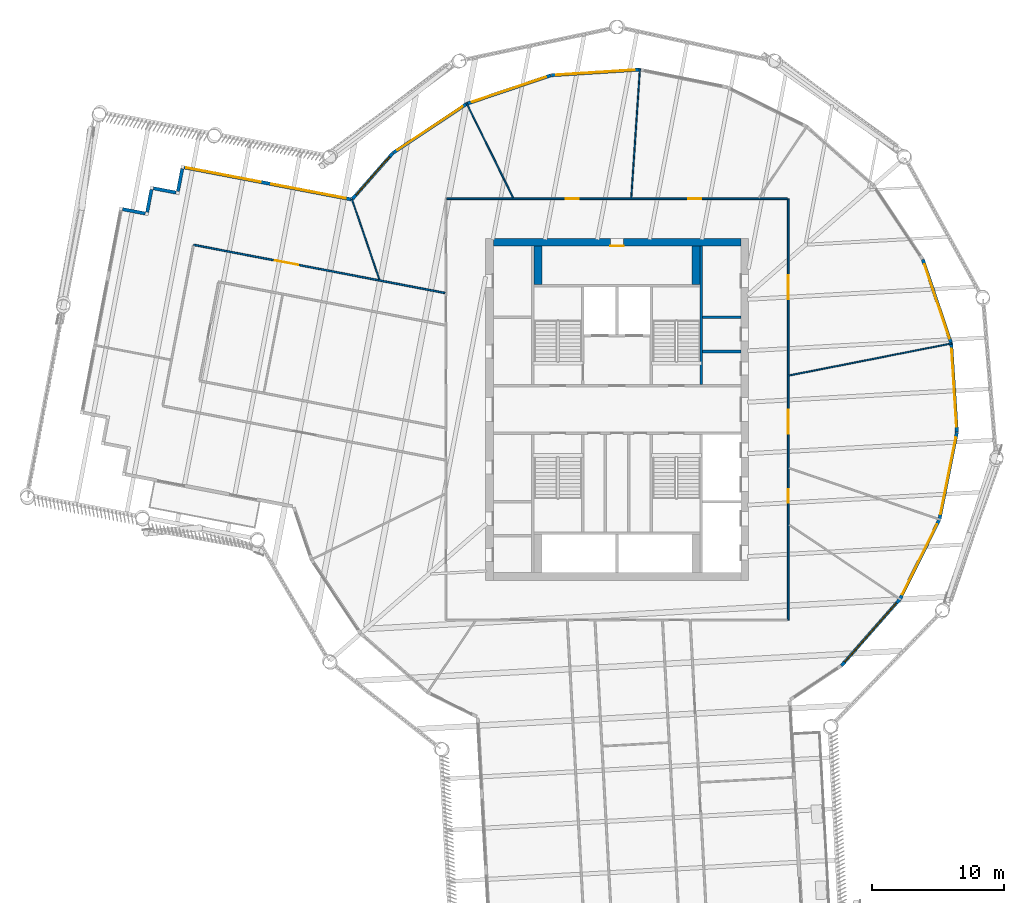
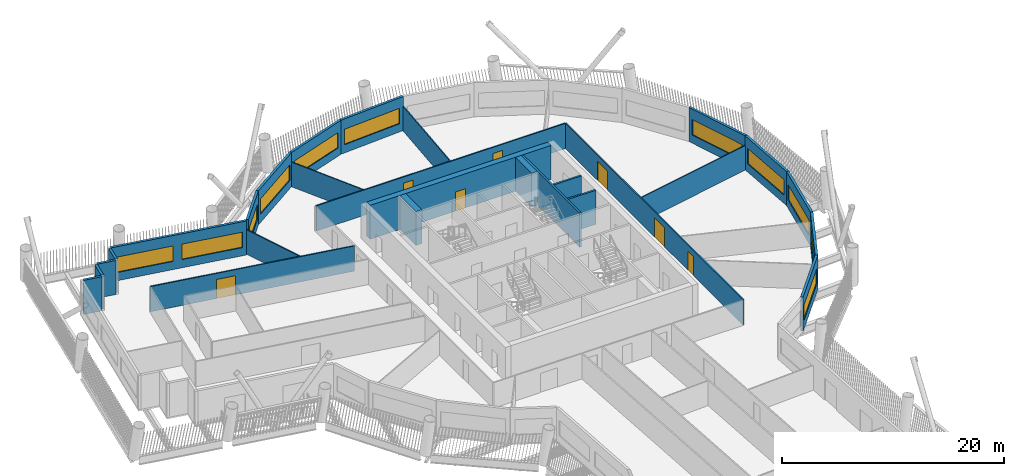
# One storey, part 6 of 23: 27 walls, 11 windows, 7 doors, 18 openings.
"""IFC4 building model written with IfcOpenShell, lengths in metres."""

from ifc_helpers import new_model, si_unit, direction, frame, frame_2d, origin, place, context, subcontext, project, spatial, rectangle, extrude, material, layer, layer_set, type_object, element, fill, save


model = new_model("IFC4")

# Units and contexts
model_context = context("Model", 3, precision=1e-05, world=origin(), true_north=direction((0.0, 1.0)))
body_context = subcontext(model_context, "Body", "Model", "MODEL_VIEW")
ifc_project = project(units=[si_unit("LENGTHUNIT", "METRE"), si_unit("AREAUNIT", "SQUARE_METRE"), si_unit("VOLUMEUNIT", "CUBIC_METRE"), si_unit("PLANEANGLEUNIT", "RADIAN"), si_unit("MASSUNIT", "GRAM", prefix="KILO")], contexts=[model_context])

# Site, building, storey
site_placement = place(None, origin())
site = spatial("IfcSite", under=ifc_project, at=site_placement, CompositionType="ELEMENT")
building_placement = place(site_placement, origin())
building = spatial("IfcBuilding", under=site, at=building_placement, Name="Tarsis Ring Headquarters", CompositionType="ELEMENT")
storey_placement = place(building_placement, frame((0.0, 0.0, 239.39990234375)))
storey = spatial("IfcBuildingStorey", under=building, at=storey_placement, Name="L56", CompositionType="ELEMENT", Elevation=239.39990234375)

# Walls
ifc_material_1 = material(Name="Blockwork", Category="masonry")
ifc_layer_1 = layer(ifc_material_1, 0.199951171875)
ifc_layer_set_1 = layer_set([ifc_layer_1], Name="Core blockwork wall 200")
wall_type_1 = type_object("IfcWallType", Name="Core blockwork wall 200", PredefinedType="PARTITIONING", material=ifc_layer_set_1)
for number, where, z_axis, x_axis, name in (
    (1, (6.5, 4.39990234375, 0.0), (0.0, 0.0, 1.0), (1.0, 0.0, 0.0), "Core partition ED5"),
    (2, (6.5, 7.0, 0.0), (0.0, 0.0, 1.0), (1.0, 0.0, 0.0), "Core partition ED6"),
):
    element("IfcWall", number, at=place(storey_placement, frame(where, z_axis=z_axis, x_axis=x_axis)), inside=storey, type_object=wall_type_1, Name=name, PredefinedType="PARTITIONING", context=body_context, shape_type="SweptSolid", body=[
        extrude(rectangle(XDim=2.89990234375, YDim=0.199951171875, at=frame_2d((1.449951171875, 0.0))), origin(), (0.0, 0.0, 1.0), 3.739990234375),
    ])

# Wall, opening, door
ifc_material_2 = material(Name="Concrete C50/60", Category="concrete")
ifc_layer_2 = layer(ifc_material_2, 0.60009765625)
ifc_layer_set_2 = layer_set([ifc_layer_2], Name="Core wall 600 C50/60")
wall_type_2 = type_object("IfcWallType", Name="Core wall 600 C50/60", PredefinedType="SHEAR", material=ifc_layer_set_2)
wall_1_placement = place(storey_placement, frame((-9.39990234375, 12.699951171875, 0.0), z_axis=(0.0, 0.0, 1.0), x_axis=(1.0, 0.0, 0.0)))
wall_1 = element("IfcWall", 3, at=wall_1_placement, inside=storey, type_object=wall_type_2, Name="Core wall ON", PredefinedType="SHEAR", context=body_context, shape_type="SweptSolid", body=[
    extrude(rectangle(XDim=18.7998046875, YDim=0.60009765625, at=frame_2d((9.39990234375, 0.0))), origin(), (0.0, 0.0, 1.0), 3.739990234375),
])
opening_1_placement = place(wall_1_placement, frame((8.89990234375, 0.0, 0.0)))
opening_1 = element("IfcOpeningElement", 4, at=opening_1_placement, cuts=wall_1, Name="Opening L56-C15", PredefinedType="OPENING", context=body_context, shape_type="SweptSolid", body=[
    extrude(rectangle(XDim=1.0, YDim=2.10009765625, at=frame_2d((0.5, 1.050048828125))), frame((0.0, 0.31005859375, 0.0), z_axis=(0.0, -1.0, 0.0), x_axis=(1.0, 0.0, 0.0)), (0.0, 0.0, 1.0), 0.6201171875),
])
ifc_material_3 = material(Name="Steel S355", Category="steel")
door_type_1 = type_object("IfcDoorType", Name="Core room door 1000x2100", OperationType="SINGLE_SWING_LEFT", PredefinedType="DOOR", material=ifc_material_3)
door_1_placement = place(opening_1_placement, origin())
door_1 = element("IfcDoor", 5, at=door_1_placement, inside=storey, type_object=door_type_1, Name="Core room door L56", OperationType="SINGLE_SWING_LEFT", OverallHeight=2.10009765625, OverallWidth=1.0, PredefinedType="DOOR", context=body_context, shape_type="SweptSolid", body=[
    extrude(rectangle(XDim=1.0, YDim=2.10009765625, at=frame_2d((0.5, 1.050048828125))), frame((0.0, -0.25, 0.0), z_axis=(0.0, -1.0, 0.0), x_axis=(1.0, 0.0, 0.0)), (0.0, 0.0, 1.0), 0.050048828125),
])
fill(opening_1, door_1)

# Walls
ifc_material_4 = material(Name="Gypsum board on steel studs", Category="steel")
ifc_layer_3 = layer(ifc_material_4, 0.10009765625)
ifc_layer_set_3 = layer_set([ifc_layer_3], Name="FL partition 100 unrated")
wall_type_3 = type_object("IfcWallType", Name="FL partition 100 unrated", PredefinedType="PARTITIONING", material=ifc_layer_set_3)
wall_2_placement = place(storey_placement, frame((13.068603515625, 2.578125, 0.0), z_axis=(0.0, 0.0, 1.0), x_axis=(0.981089683082, 0.19355369733, 0.0)))
element("IfcWall", 6, at=wall_2_placement, inside=storey, type_object=wall_type_3, Name="Partition PW3", PredefinedType="PARTITIONING", context=body_context, shape_type="SweptSolid", body=[
    extrude(rectangle(XDim=12.62744140625, YDim=0.10009765625, at=frame_2d((6.313720703125, 0.0))), origin(), (0.0, 0.0, 1.0), 2.7001953125),
])
wall_3_placement = place(storey_placement, frame((1.07861328125, 16.06982421875, 0.0), z_axis=(0.0, 0.0, 1.0), x_axis=(0.066976710643, 0.997754539068, 0.0)))
element("IfcWall", 7, at=wall_3_placement, inside=storey, type_object=wall_type_3, Name="Partition PW3", PredefinedType="PARTITIONING", context=body_context, shape_type="SweptSolid", body=[
    extrude(rectangle(XDim=9.842041015625, YDim=0.10009765625, at=frame_2d((4.9208984375, 0.0))), origin(), (0.0, 0.0, 1.0), 2.7001953125),
])
wall_4_placement = place(storey_placement, frame((-11.43994140625, 23.289794921875, 0.0), z_axis=(0.0, 0.0, 1.0), x_axis=(0.440904309262, -0.897554115401, 0.0)))
element("IfcWall", 8, at=wall_4_placement, inside=storey, type_object=wall_type_3, Name="Partition PW3", PredefinedType="PARTITIONING", context=body_context, shape_type="SweptSolid", body=[
    extrude(rectangle(XDim=8.03173828125, YDim=0.10009765625, at=frame_2d((4.015869140625, 0.0))), origin(), (0.0, 0.0, 1.0), 2.7001953125),
])
wall_5_placement = place(storey_placement, frame((-20.1533203125, 16.00048828125, 0.0), z_axis=(0.0, 0.0, 1.0), x_axis=(0.324120700597, -0.946015735305, 0.0)))
element("IfcWall", 9, at=wall_5_placement, inside=storey, type_object=wall_type_3, Name="Partition PW3", PredefinedType="PARTITIONING", context=body_context, shape_type="SweptSolid", body=[
    extrude(rectangle(XDim=6.468017578125, YDim=0.10009765625, at=frame_2d((3.23388671875, 0.0))), origin(), (0.0, 0.0, 1.0), 2.7001953125),
])

# Wall, openings, doors
ifc_layer_4 = layer(ifc_material_4, 0.125)
ifc_layer_set_4 = layer_set([ifc_layer_4], Name="FL partition 125 EI 60 H2770")
wall_type_4 = type_object("IfcWallType", Name="FL partition 125 EI 60 H2770", PredefinedType="PARTITIONING", material=ifc_layer_set_4)
wall_6_placement = place(storey_placement, frame((13.0, -16.0, 0.0), z_axis=(0.0, 0.0, 1.0), x_axis=(0.0, 1.0, 0.0)))
wall_6 = element("IfcWall", 10, at=wall_6_placement, inside=storey, type_object=wall_type_4, Name="Partition PW1", PredefinedType="PARTITIONING", context=body_context, shape_type="SweptSolid", body=[
    extrude(rectangle(XDim=32.0, YDim=0.125, at=frame_2d((16.0, 0.0))), origin(), (0.0, 0.0, 1.0), 2.77001953125),
])
opening_2_placement = place(wall_6_placement, frame((24.38232421875, 0.0, 0.0)))
opening_2 = element("IfcOpeningElement", 11, at=opening_2_placement, cuts=wall_6, Name="Opening D56.06", PredefinedType="OPENING", context=body_context, shape_type="SweptSolid", body=[
    extrude(rectangle(XDim=1.800048828125, YDim=2.10009765625, at=frame_2d((0.89990234375, 1.050048828125))), frame((0.0, 0.072509765625, 0.0), z_axis=(0.0, -1.0, 0.0), x_axis=(1.0, 0.0, 0.0)), (0.0, 0.0, 1.0), 0.14501953125),
])
opening_3_placement = place(wall_6_placement, frame((14.16455078125, 0.0, 0.0)))
opening_3 = element("IfcOpeningElement", 12, at=opening_3_placement, cuts=wall_6, Name="Opening D56.07", PredefinedType="OPENING", context=body_context, shape_type="SweptSolid", body=[
    extrude(rectangle(XDim=1.800048828125, YDim=2.10009765625, at=frame_2d((0.89990234375, 1.050048828125))), frame((0.0, 0.072509765625, 0.0), z_axis=(0.0, -1.0, 0.0), x_axis=(1.0, 0.0, 0.0)), (0.0, 0.0, 1.0), 0.14501953125),
])
opening_4_placement = place(wall_6_placement, frame((8.92431640625, 0.0, 0.0)))
opening_4 = element("IfcOpeningElement", 13, at=opening_4_placement, cuts=wall_6, Name="Opening D56.08", PredefinedType="OPENING", context=body_context, shape_type="SweptSolid", body=[
    extrude(rectangle(XDim=1.0, YDim=2.10009765625, at=frame_2d((0.5, 1.050048828125))), frame((0.0, 0.072509765625, 0.0), z_axis=(0.0, -1.0, 0.0), x_axis=(1.0, 0.0, 0.0)), (0.0, 0.0, 1.0), 0.14501953125),
])
ifc_material_5 = material(Name="Fire-rated timber door leaf in steel frame", Category="steel")
door_type_2 = type_object("IfcDoorType", Name="FL door FD60-1000", OperationType="NOTDEFINED", PredefinedType="DOOR", material=ifc_material_5)
door_2_placement = place(opening_4_placement, origin())
door_2 = element("IfcDoor", 14, at=door_2_placement, inside=storey, type_object=door_type_2, Name="Door D56.08", OperationType="SINGLE_SWING_RIGHT", OverallHeight=2.10009765625, OverallWidth=1.0, PredefinedType="DOOR", context=body_context, shape_type="SweptSolid", body=[
    extrude(rectangle(XDim=1.0, YDim=2.10009765625, at=frame_2d((0.5, 1.050048828125))), frame((0.0, 0.02490234375, 0.0), z_axis=(0.0, -1.0, 0.0), x_axis=(1.0, 0.0, 0.0)), (0.0, 0.0, 1.0), 0.050048828125),
])
fill(opening_4, door_2)
door_type_3 = type_object("IfcDoorType", Name="FL door FD60-1800", OperationType="DOUBLE_DOOR_SINGLE_SWING", PredefinedType="DOOR", material=ifc_material_5)
door_3_placement = place(opening_2_placement, origin())
door_3 = element("IfcDoor", 15, at=door_3_placement, inside=storey, type_object=door_type_3, Name="Door D56.06", OperationType="DOUBLE_DOOR_SINGLE_SWING", OverallHeight=2.10009765625, OverallWidth=1.800048828125, PredefinedType="DOOR", context=body_context, shape_type="SweptSolid", body=[
    extrude(rectangle(XDim=1.800048828125, YDim=2.10009765625, at=frame_2d((0.89990234375, 1.050048828125))), frame((0.0, 0.02490234375, 0.0), z_axis=(0.0, -1.0, 0.0), x_axis=(1.0, 0.0, 0.0)), (0.0, 0.0, 1.0), 0.050048828125),
])
fill(opening_2, door_3)
door_4_placement = place(opening_3_placement, origin())
door_4 = element("IfcDoor", 16, at=door_4_placement, inside=storey, type_object=door_type_3, Name="Door D56.07", OperationType="DOUBLE_DOOR_SINGLE_SWING", OverallHeight=2.10009765625, OverallWidth=1.800048828125, PredefinedType="DOOR", context=body_context, shape_type="SweptSolid", body=[
    extrude(rectangle(XDim=1.800048828125, YDim=2.10009765625, at=frame_2d((0.89990234375, 1.050048828125))), frame((0.0, 0.02490234375, 0.0), z_axis=(0.0, -1.0, 0.0), x_axis=(1.0, 0.0, 0.0)), (0.0, 0.0, 1.0), 0.050048828125),
])
fill(opening_3, door_4)

wall_7_placement = place(storey_placement, frame((-12.93994140625, 16.0, 0.0), z_axis=(0.0, 0.0, 1.0), x_axis=(1.0, 0.0, 0.0)))
wall_7 = element("IfcWall", 17, at=wall_7_placement, inside=storey, type_object=wall_type_4, Name="Partition PW1", PredefinedType="PARTITIONING", context=body_context, shape_type="SweptSolid", body=[
    extrude(rectangle(XDim=25.8798828125, YDim=0.125, at=frame_2d((12.93994140625, 0.0))), origin(), (0.0, 0.0, 1.0), 2.77001953125),
])
opening_5_placement = place(wall_7_placement, frame((9.04736328125, 0.0, 0.0)))
opening_5 = element("IfcOpeningElement", 18, at=opening_5_placement, cuts=wall_7, Name="Opening D56.04", PredefinedType="OPENING", context=body_context, shape_type="SweptSolid", body=[
    extrude(rectangle(XDim=1.0, YDim=2.10009765625, at=frame_2d((0.5, 1.050048828125))), frame((0.0, 0.072509765625, 0.0), z_axis=(0.0, -1.0, 0.0), x_axis=(1.0, 0.0, 0.0)), (0.0, 0.0, 1.0), 0.14501953125),
])
opening_6_placement = place(wall_7_placement, frame((18.340576171875, 0.0, 0.0)))
opening_6 = element("IfcOpeningElement", 19, at=opening_6_placement, cuts=wall_7, Name="Opening D56.05", PredefinedType="OPENING", context=body_context, shape_type="SweptSolid", body=[
    extrude(rectangle(XDim=1.0, YDim=2.10009765625, at=frame_2d((0.5, 1.050048828125))), frame((0.0, 0.072509765625, 0.0), z_axis=(0.0, -1.0, 0.0), x_axis=(1.0, 0.0, 0.0)), (0.0, 0.0, 1.0), 0.14501953125),
])
door_5_placement = place(opening_5_placement, origin())
door_5 = element("IfcDoor", 20, at=door_5_placement, inside=storey, type_object=door_type_2, Name="Door D56.04", OperationType="SINGLE_SWING_RIGHT", OverallHeight=2.10009765625, OverallWidth=1.0, PredefinedType="DOOR", context=body_context, shape_type="SweptSolid", body=[
    extrude(rectangle(XDim=1.0, YDim=2.10009765625, at=frame_2d((0.5, 1.050048828125))), frame((0.0, 0.02490234375, 0.0), z_axis=(0.0, -1.0, 0.0), x_axis=(1.0, 0.0, 0.0)), (0.0, 0.0, 1.0), 0.050048828125),
])
fill(opening_5, door_5)
door_6_placement = place(opening_6_placement, origin())
door_6 = element("IfcDoor", 21, at=door_6_placement, inside=storey, type_object=door_type_2, Name="Door D56.05", OperationType="SINGLE_SWING_LEFT", OverallHeight=2.10009765625, OverallWidth=1.0, PredefinedType="DOOR", context=body_context, shape_type="SweptSolid", body=[
    extrude(rectangle(XDim=1.0, YDim=2.10009765625, at=frame_2d((0.5, 1.050048828125))), frame((0.0, 0.02490234375, 0.0), z_axis=(0.0, -1.0, 0.0), x_axis=(1.0, 0.0, 0.0)), (0.0, 0.0, 1.0), 0.050048828125),
])
fill(opening_6, door_6)

# Wall, opening, door
wall_8_placement = place(storey_placement, frame((-32.172607421875, 12.503662109375, 0.0), z_axis=(0.0, 0.0, 1.0), x_axis=(0.982157165029, -0.188061966334, 0.0)))
wall_8 = element("IfcWall", 22, at=wall_8_placement, inside=storey, type_object=wall_type_4, Name="Partition PW1", PredefinedType="PARTITIONING", context=body_context, shape_type="SweptSolid", body=[
    extrude(rectangle(XDim=19.450927734375, YDim=0.125, at=frame_2d((9.7255859375, 0.0))), origin(), (0.0, 0.0, 1.0), 2.77001953125),
])
opening_7_placement = place(wall_8_placement, frame((6.299560546875, 0.0, 0.0)))
opening_7 = element("IfcOpeningElement", 23, at=opening_7_placement, cuts=wall_8, Name="Opening D56.02", PredefinedType="OPENING", context=body_context, shape_type="SweptSolid", body=[
    extrude(rectangle(XDim=1.800048828125, YDim=2.10009765625, at=frame_2d((0.89990234375, 1.050048828125))), frame((0.0, 0.072509765625, 0.0), z_axis=(0.0, -1.0, 0.0), x_axis=(1.0, 0.0, 0.0)), (0.0, 0.0, 1.0), 0.14501953125),
])
door_7_placement = place(opening_7_placement, origin())
door_7 = element("IfcDoor", 24, at=door_7_placement, inside=storey, type_object=door_type_3, Name="Door D56.02", OperationType="DOUBLE_DOOR_SINGLE_SWING", OverallHeight=2.10009765625, OverallWidth=1.800048828125, PredefinedType="DOOR", context=body_context, shape_type="SweptSolid", body=[
    extrude(rectangle(XDim=1.800048828125, YDim=2.10009765625, at=frame_2d((0.89990234375, 1.050048828125))), frame((0.0, 0.02490234375, 0.0), z_axis=(0.0, -1.0, 0.0), x_axis=(1.0, 0.0, 0.0)), (0.0, 0.0, 1.0), 0.050048828125),
])
fill(opening_7, door_7)

# Wall, opening, window
ifc_material_6 = material(Name="Terracotta clad insulated panel wall", Category="masonry")
ifc_layer_5 = layer(ifc_material_6, 0.25)
ifc_layer_set_5 = layer_set([ifc_layer_5], Name="Facade wall terracotta panel 250")
wall_type_5 = type_object("IfcWallType", Name="Facade wall terracotta panel 250", PredefinedType="STANDARD", material=ifc_layer_set_5)
wall_9_placement = place(storey_placement, frame((17.0400390625, -19.467529296875, 0.0), z_axis=(0.0, 0.0, 1.0), x_axis=(0.660536186463, 0.750794210402, 0.0)))
wall_9 = element("IfcWall", 25, at=wall_9_placement, inside=storey, type_object=wall_type_5, Name="External wall L56-18", PredefinedType="STANDARD", context=body_context, shape_type="SweptSolid", body=[
    extrude(rectangle(XDim=6.7216796875, YDim=0.25, at=frame_2d((3.36083984375, 0.0))), origin(), (0.0, 0.0, 1.0), 3.739990234375),
])
opening_8_placement = place(wall_9_placement, frame((0.3857421875, 0.0, 0.89990234375)))
opening_8 = element("IfcOpeningElement", 26, at=opening_8_placement, cuts=wall_9, Name="Opening WN07", PredefinedType="OPENING", context=body_context, shape_type="SweptSolid", body=[
    extrude(rectangle(XDim=5.949951171875, YDim=1.699951171875, at=frame_2d((2.97509765625, 0.85009765625))), frame((0.0, 0.135009765625, 0.0), z_axis=(0.0, -1.0, 0.0), x_axis=(1.0, 0.0, 0.0)), (0.0, 0.0, 1.0), 0.27001953125),
])
ifc_material_7 = material(Name="Aluminium framed double glazing", Category="aluminium")
window_type_1 = type_object("IfcWindowType", Name="Facade window 5950 x 1700", PartitioningType="SINGLE_PANEL", PredefinedType="WINDOW", material=ifc_material_7)
window_1_placement = place(opening_8_placement, origin())
window_1 = element("IfcWindow", 27, at=window_1_placement, inside=storey, type_object=window_type_1, Name="Window L56-18.1", OverallHeight=1.699951171875, OverallWidth=5.949951171875, PartitioningType="SINGLE_PANEL", PredefinedType="WINDOW", context=body_context, shape_type="SweptSolid", body=[
    extrude(rectangle(XDim=5.949951171875, YDim=1.699951171875, at=frame_2d((2.97509765625, 0.85009765625))), frame((0.0, 0.030029296875, 0.0), z_axis=(0.0, -1.0, 0.0), x_axis=(1.0, 0.0, 0.0)), (0.0, 0.0, 1.0), 0.06005859375),
])
fill(opening_8, window_1)

wall_10_placement = place(storey_placement, frame((21.498046875, -14.393798828125, 0.0), z_axis=(0.0, 0.0, 1.0), x_axis=(0.443708734353, 0.896171054575, 0.0)))
wall_10 = element("IfcWall", 28, at=wall_10_placement, inside=storey, type_object=wall_type_5, Name="External wall L56-19", PredefinedType="STANDARD", context=body_context, shape_type="SweptSolid", body=[
    extrude(rectangle(XDim=6.7216796875, YDim=0.25, at=frame_2d((3.36083984375, 0.0))), origin(), (0.0, 0.0, 1.0), 3.739990234375),
])
opening_9_placement = place(wall_10_placement, frame((0.3857421875, 0.0, 0.89990234375)))
opening_9 = element("IfcOpeningElement", 29, at=opening_9_placement, cuts=wall_10, Name="Opening WN07", PredefinedType="OPENING", context=body_context, shape_type="SweptSolid", body=[
    extrude(rectangle(XDim=5.949951171875, YDim=1.699951171875, at=frame_2d((2.97509765625, 0.85009765625))), frame((0.0, 0.135009765625, 0.0), z_axis=(0.0, -1.0, 0.0), x_axis=(1.0, 0.0, 0.0)), (0.0, 0.0, 1.0), 0.27001953125),
])
window_2_placement = place(opening_9_placement, origin())
window_2 = element("IfcWindow", 30, at=window_2_placement, inside=storey, type_object=window_type_1, Name="Window L56-19.1", OverallHeight=1.699951171875, OverallWidth=5.949951171875, PartitioningType="SINGLE_PANEL", PredefinedType="WINDOW", context=body_context, shape_type="SweptSolid", body=[
    extrude(rectangle(XDim=5.949951171875, YDim=1.699951171875, at=frame_2d((2.97509765625, 0.85009765625))), frame((0.0, 0.030029296875, 0.0), z_axis=(0.0, -1.0, 0.0), x_axis=(1.0, 0.0, 0.0)), (0.0, 0.0, 1.0), 0.06005859375),
])
fill(opening_9, window_2)

wall_11_placement = place(storey_placement, frame((24.490966796875, -8.33935546875, 0.0), z_axis=(0.0, 0.0, 1.0), x_axis=(0.196612047734, 0.980481362743, 0.0)))
wall_11 = element("IfcWall", 31, at=wall_11_placement, inside=storey, type_object=wall_type_5, Name="External wall L56-20", PredefinedType="STANDARD", context=body_context, shape_type="SweptSolid", body=[
    extrude(rectangle(XDim=6.721435546875, YDim=0.25, at=frame_2d((3.36083984375, 0.0))), origin(), (0.0, 0.0, 1.0), 3.739990234375),
])
opening_10_placement = place(wall_11_placement, frame((0.3857421875, 0.0, 0.89990234375)))
opening_10 = element("IfcOpeningElement", 32, at=opening_10_placement, cuts=wall_11, Name="Opening WN07", PredefinedType="OPENING", context=body_context, shape_type="SweptSolid", body=[
    extrude(rectangle(XDim=5.949951171875, YDim=1.699951171875, at=frame_2d((2.97509765625, 0.85009765625))), frame((0.0, 0.135009765625, 0.0), z_axis=(0.0, -1.0, 0.0), x_axis=(1.0, 0.0, 0.0)), (0.0, 0.0, 1.0), 0.27001953125),
])
window_3_placement = place(opening_10_placement, origin())
window_3 = element("IfcWindow", 33, at=window_3_placement, inside=storey, type_object=window_type_1, Name="Window L56-20.1", OverallHeight=1.699951171875, OverallWidth=5.949951171875, PartitioningType="SINGLE_PANEL", PredefinedType="WINDOW", context=body_context, shape_type="SweptSolid", body=[
    extrude(rectangle(XDim=5.949951171875, YDim=1.699951171875, at=frame_2d((2.97509765625, 0.85009765625))), frame((0.0, 0.030029296875, 0.0), z_axis=(0.0, -1.0, 0.0), x_axis=(1.0, 0.0, 0.0)), (0.0, 0.0, 1.0), 0.06005859375),
])
fill(opening_10, window_3)

wall_12_placement = place(storey_placement, frame((25.814697265625, -1.71630859375, 0.0), z_axis=(0.0, 0.0, 1.0), x_axis=(-0.063818685098, 0.997961509995, 0.0)))
wall_12 = element("IfcWall", 34, at=wall_12_placement, inside=storey, type_object=wall_type_5, Name="External wall L56-21", PredefinedType="STANDARD", context=body_context, shape_type="SweptSolid", body=[
    extrude(rectangle(XDim=6.721435546875, YDim=0.25, at=frame_2d((3.36083984375, 0.0))), origin(), (0.0, 0.0, 1.0), 3.739990234375),
])
opening_11_placement = place(wall_12_placement, frame((0.3857421875, 0.0, 0.89990234375)))
opening_11 = element("IfcOpeningElement", 35, at=opening_11_placement, cuts=wall_12, Name="Opening WN07", PredefinedType="OPENING", context=body_context, shape_type="SweptSolid", body=[
    extrude(rectangle(XDim=5.949951171875, YDim=1.699951171875, at=frame_2d((2.97509765625, 0.85009765625))), frame((0.0, 0.135009765625, 0.0), z_axis=(0.0, -1.0, 0.0), x_axis=(1.0, 0.0, 0.0)), (0.0, 0.0, 1.0), 0.27001953125),
])
window_4_placement = place(opening_11_placement, origin())
window_4 = element("IfcWindow", 36, at=window_4_placement, inside=storey, type_object=window_type_1, Name="Window L56-21.1", OverallHeight=1.699951171875, OverallWidth=5.949951171875, PartitioningType="SINGLE_PANEL", PredefinedType="WINDOW", context=body_context, shape_type="SweptSolid", body=[
    extrude(rectangle(XDim=5.949951171875, YDim=1.699951171875, at=frame_2d((2.97509765625, 0.85009765625))), frame((0.0, 0.030029296875, 0.0), z_axis=(0.0, -1.0, 0.0), x_axis=(1.0, 0.0, 0.0)), (0.0, 0.0, 1.0), 0.06005859375),
])
fill(opening_11, window_4)

wall_13_placement = place(storey_placement, frame((25.37939453125, 5.0234375, 0.0), z_axis=(0.0, 0.0, 1.0), x_axis=(-0.319962873387, 0.94743008167, 0.0)))
wall_13 = element("IfcWall", 37, at=wall_13_placement, inside=storey, type_object=wall_type_5, Name="External wall L56-22", PredefinedType="STANDARD", context=body_context, shape_type="SweptSolid", body=[
    extrude(rectangle(XDim=6.721435546875, YDim=0.25, at=frame_2d((3.36083984375, 0.0))), origin(), (0.0, 0.0, 1.0), 3.739990234375),
])
opening_12_placement = place(wall_13_placement, frame((0.3857421875, 0.0, 0.89990234375)))
opening_12 = element("IfcOpeningElement", 38, at=opening_12_placement, cuts=wall_13, Name="Opening WN07", PredefinedType="OPENING", context=body_context, shape_type="SweptSolid", body=[
    extrude(rectangle(XDim=5.949951171875, YDim=1.699951171875, at=frame_2d((2.97509765625, 0.85009765625))), frame((0.0, 0.135009765625, 0.0), z_axis=(0.0, -1.0, 0.0), x_axis=(1.0, 0.0, 0.0)), (0.0, 0.0, 1.0), 0.27001953125),
])
window_5_placement = place(opening_12_placement, origin())
window_5 = element("IfcWindow", 39, at=window_5_placement, inside=storey, type_object=window_type_1, Name="Window L56-22.1", OverallHeight=1.699951171875, OverallWidth=5.949951171875, PartitioningType="SINGLE_PANEL", PredefinedType="WINDOW", context=body_context, shape_type="SweptSolid", body=[
    extrude(rectangle(XDim=5.949951171875, YDim=1.699951171875, at=frame_2d((2.97509765625, 0.85009765625))), frame((0.0, 0.030029296875, 0.0), z_axis=(0.0, -1.0, 0.0), x_axis=(1.0, 0.0, 0.0)), (0.0, 0.0, 1.0), 0.06005859375),
])
fill(opening_12, window_5)

wall_14_placement = place(storey_placement, frame((1.71630859375, 25.814697265625, 0.0), z_axis=(0.0, 0.0, 1.0), x_axis=(-0.997961509995, -0.063818685098, 0.0)))
wall_14 = element("IfcWall", 40, at=wall_14_placement, inside=storey, type_object=wall_type_5, Name="External wall L56-27", PredefinedType="STANDARD", context=body_context, shape_type="SweptSolid", body=[
    extrude(rectangle(XDim=6.721435546875, YDim=0.25, at=frame_2d((3.36083984375, 0.0))), origin(), (0.0, 0.0, 1.0), 3.739990234375),
])
opening_13_placement = place(wall_14_placement, frame((0.3857421875, 0.0, 0.89990234375)))
opening_13 = element("IfcOpeningElement", 41, at=opening_13_placement, cuts=wall_14, Name="Opening WN07", PredefinedType="OPENING", context=body_context, shape_type="SweptSolid", body=[
    extrude(rectangle(XDim=5.949951171875, YDim=1.699951171875, at=frame_2d((2.97509765625, 0.85009765625))), frame((0.0, 0.135009765625, 0.0), z_axis=(0.0, -1.0, 0.0), x_axis=(1.0, 0.0, 0.0)), (0.0, 0.0, 1.0), 0.27001953125),
])
window_6_placement = place(opening_13_placement, origin())
window_6 = element("IfcWindow", 42, at=window_6_placement, inside=storey, type_object=window_type_1, Name="Window L56-27.1", OverallHeight=1.699951171875, OverallWidth=5.949951171875, PartitioningType="SINGLE_PANEL", PredefinedType="WINDOW", context=body_context, shape_type="SweptSolid", body=[
    extrude(rectangle(XDim=5.949951171875, YDim=1.699951171875, at=frame_2d((2.97509765625, 0.85009765625))), frame((0.0, 0.030029296875, 0.0), z_axis=(0.0, -1.0, 0.0), x_axis=(1.0, 0.0, 0.0)), (0.0, 0.0, 1.0), 0.06005859375),
])
fill(opening_13, window_6)

wall_15_placement = place(storey_placement, frame((-5.0234375, 25.37939453125, 0.0), z_axis=(0.0, 0.0, 1.0), x_axis=(-0.94743008167, -0.319962873387, 0.0)))
wall_15 = element("IfcWall", 43, at=wall_15_placement, inside=storey, type_object=wall_type_5, Name="External wall L56-28", PredefinedType="STANDARD", context=body_context, shape_type="SweptSolid", body=[
    extrude(rectangle(XDim=6.721435546875, YDim=0.25, at=frame_2d((3.36083984375, 0.0))), origin(), (0.0, 0.0, 1.0), 3.739990234375),
])
opening_14_placement = place(wall_15_placement, frame((0.3857421875, 0.0, 0.89990234375)))
opening_14 = element("IfcOpeningElement", 44, at=opening_14_placement, cuts=wall_15, Name="Opening WN07", PredefinedType="OPENING", context=body_context, shape_type="SweptSolid", body=[
    extrude(rectangle(XDim=5.949951171875, YDim=1.699951171875, at=frame_2d((2.97509765625, 0.85009765625))), frame((0.0, 0.135009765625, 0.0), z_axis=(0.0, -1.0, 0.0), x_axis=(1.0, 0.0, 0.0)), (0.0, 0.0, 1.0), 0.27001953125),
])
window_7_placement = place(opening_14_placement, origin())
window_7 = element("IfcWindow", 45, at=window_7_placement, inside=storey, type_object=window_type_1, Name="Window L56-28.1", OverallHeight=1.699951171875, OverallWidth=5.949951171875, PartitioningType="SINGLE_PANEL", PredefinedType="WINDOW", context=body_context, shape_type="SweptSolid", body=[
    extrude(rectangle(XDim=5.949951171875, YDim=1.699951171875, at=frame_2d((2.97509765625, 0.85009765625))), frame((0.0, 0.030029296875, 0.0), z_axis=(0.0, -1.0, 0.0), x_axis=(1.0, 0.0, 0.0)), (0.0, 0.0, 1.0), 0.06005859375),
])
fill(opening_14, window_7)

wall_16_placement = place(storey_placement, frame((-11.4208984375, 23.21435546875, 0.0), z_axis=(0.0, 0.0, 1.0), x_axis=(-0.832357507566, -0.554239099666, 0.0)))
wall_16 = element("IfcWall", 46, at=wall_16_placement, inside=storey, type_object=wall_type_5, Name="External wall L56-29", PredefinedType="STANDARD", context=body_context, shape_type="SweptSolid", body=[
    extrude(rectangle(XDim=6.721435546875, YDim=0.25, at=frame_2d((3.36083984375, 0.0))), origin(), (0.0, 0.0, 1.0), 3.739990234375),
])
opening_15_placement = place(wall_16_placement, frame((0.3857421875, 0.0, 0.89990234375)))
opening_15 = element("IfcOpeningElement", 47, at=opening_15_placement, cuts=wall_16, Name="Opening WN07", PredefinedType="OPENING", context=body_context, shape_type="SweptSolid", body=[
    extrude(rectangle(XDim=5.949951171875, YDim=1.699951171875, at=frame_2d((2.97509765625, 0.85009765625))), frame((0.0, 0.135009765625, 0.0), z_axis=(0.0, -1.0, 0.0), x_axis=(1.0, 0.0, 0.0)), (0.0, 0.0, 1.0), 0.27001953125),
])
window_8_placement = place(opening_15_placement, origin())
window_8 = element("IfcWindow", 48, at=window_8_placement, inside=storey, type_object=window_type_1, Name="Window L56-29.1", OverallHeight=1.699951171875, OverallWidth=5.949951171875, PartitioningType="SINGLE_PANEL", PredefinedType="WINDOW", context=body_context, shape_type="SweptSolid", body=[
    extrude(rectangle(XDim=5.949951171875, YDim=1.699951171875, at=frame_2d((2.97509765625, 0.85009765625))), frame((0.0, 0.030029296875, 0.0), z_axis=(0.0, -1.0, 0.0), x_axis=(1.0, 0.0, 0.0)), (0.0, 0.0, 1.0), 0.06005859375),
])
fill(opening_15, window_8)

wall_17_placement = place(storey_placement, frame((-17.0400390625, 19.467529296875, 0.0), z_axis=(0.0, 0.0, 1.0), x_axis=(-0.660542080172, -0.750789025174, 0.0)))
wall_17 = element("IfcWall", 49, at=wall_17_placement, inside=storey, type_object=wall_type_5, Name="External wall L56-30", PredefinedType="STANDARD", context=body_context, shape_type="SweptSolid", body=[
    extrude(rectangle(XDim=4.617919921875, YDim=0.25, at=frame_2d((2.30908203125, 0.0))), origin(), (0.0, 0.0, 1.0), 3.739990234375),
])
opening_16_placement = place(wall_17_placement, frame((0.367431640625, 0.0, 0.89990234375)))
opening_16 = element("IfcOpeningElement", 50, at=opening_16_placement, cuts=wall_17, Name="Opening WN02", PredefinedType="OPENING", context=body_context, shape_type="SweptSolid", body=[
    extrude(rectangle(XDim=3.85009765625, YDim=1.699951171875, at=frame_2d((1.925048828125, 0.85009765625))), frame((0.0, 0.135009765625, 0.0), z_axis=(0.0, -1.0, 0.0), x_axis=(1.0, 0.0, 0.0)), (0.0, 0.0, 1.0), 0.27001953125),
])
window_type_2 = type_object("IfcWindowType", Name="Facade window 3850 x 1700", PartitioningType="SINGLE_PANEL", PredefinedType="WINDOW", material=ifc_material_7)
window_9_placement = place(opening_16_placement, origin())
window_9 = element("IfcWindow", 51, at=window_9_placement, inside=storey, type_object=window_type_2, Name="Window L56-30.1", OverallHeight=1.699951171875, OverallWidth=3.85009765625, PartitioningType="SINGLE_PANEL", PredefinedType="WINDOW", context=body_context, shape_type="SweptSolid", body=[
    extrude(rectangle(XDim=3.85009765625, YDim=1.699951171875, at=frame_2d((1.925048828125, 0.85009765625))), frame((0.0, 0.030029296875, 0.0), z_axis=(0.0, -1.0, 0.0), x_axis=(1.0, 0.0, 0.0)), (0.0, 0.0, 1.0), 0.06005859375),
])
fill(opening_16, window_9)

# Wall, openings, windows
wall_18_placement = place(storey_placement, frame((-20.207763671875, 15.960205078125, 0.0), z_axis=(0.0, 0.0, 1.0), x_axis=(-0.982156902418, 0.188063337821, 0.0)))
wall_18 = element("IfcWall", 52, at=wall_18_placement, inside=storey, type_object=wall_type_5, Name="External wall L56-31", PredefinedType="STANDARD", context=body_context, shape_type="SweptSolid", body=[
    extrude(rectangle(XDim=12.9013671875, YDim=0.25, at=frame_2d((6.45068359375, 0.0))), origin(), (0.0, 0.0, 1.0), 3.739990234375),
])
opening_17_placement = place(wall_18_placement, frame((0.412841796875, 0.0, 0.89990234375)))
opening_17 = element("IfcOpeningElement", 53, at=opening_17_placement, cuts=wall_18, Name="Opening WN06", PredefinedType="OPENING", context=body_context, shape_type="SweptSolid", body=[
    extrude(rectangle(XDim=5.75, YDim=1.699951171875, at=frame_2d((2.875, 0.85009765625))), frame((0.0, 0.135009765625, 0.0), z_axis=(0.0, -1.0, 0.0), x_axis=(1.0, 0.0, 0.0)), (0.0, 0.0, 1.0), 0.27001953125),
])
opening_18_placement = place(wall_18_placement, frame((6.988525390625, 0.0, 0.89990234375)))
opening_18 = element("IfcOpeningElement", 54, at=opening_18_placement, cuts=wall_18, Name="Opening WN06", PredefinedType="OPENING", context=body_context, shape_type="SweptSolid", body=[
    extrude(rectangle(XDim=5.75, YDim=1.699951171875, at=frame_2d((2.875, 0.85009765625))), frame((0.0, 0.135009765625, 0.0), z_axis=(0.0, -1.0, 0.0), x_axis=(1.0, 0.0, 0.0)), (0.0, 0.0, 1.0), 0.27001953125),
])
window_type_3 = type_object("IfcWindowType", Name="Facade window 5750 x 1700", PartitioningType="SINGLE_PANEL", PredefinedType="WINDOW", material=ifc_material_7)
window_10_placement = place(opening_17_placement, origin())
window_10 = element("IfcWindow", 55, at=window_10_placement, inside=storey, type_object=window_type_3, Name="Window L56-31.1", OverallHeight=1.699951171875, OverallWidth=5.75, PartitioningType="SINGLE_PANEL", PredefinedType="WINDOW", context=body_context, shape_type="SweptSolid", body=[
    extrude(rectangle(XDim=5.75, YDim=1.699951171875, at=frame_2d((2.875, 0.85009765625))), frame((0.0, 0.030029296875, 0.0), z_axis=(0.0, -1.0, 0.0), x_axis=(1.0, 0.0, 0.0)), (0.0, 0.0, 1.0), 0.06005859375),
])
fill(opening_17, window_10)
window_11_placement = place(opening_18_placement, origin())
window_11 = element("IfcWindow", 56, at=window_11_placement, inside=storey, type_object=window_type_3, Name="Window L56-31.2", OverallHeight=1.699951171875, OverallWidth=5.75, PartitioningType="SINGLE_PANEL", PredefinedType="WINDOW", context=body_context, shape_type="SweptSolid", body=[
    extrude(rectangle(XDim=5.75, YDim=1.699951171875, at=frame_2d((2.875, 0.85009765625))), frame((0.0, 0.030029296875, 0.0), z_axis=(0.0, -1.0, 0.0), x_axis=(1.0, 0.0, 0.0)), (0.0, 0.0, 1.0), 0.06005859375),
])
fill(opening_18, window_11)

# Walls
wall_19_placement = place(storey_placement, frame((-33.025146484375, 18.287353515625, 0.0), z_axis=(0.0, 0.0, 1.0), x_axis=(-0.188035052514, -0.982162318065, 0.0)))
element("IfcWall", 57, at=wall_19_placement, inside=storey, type_object=wall_type_5, Name="External wall L56-32", PredefinedType="STANDARD", context=body_context, shape_type="SweptSolid", body=[
    extrude(rectangle(XDim=1.750244140625, YDim=0.25, at=frame_2d((0.875, 0.0))), origin(), (0.0, 0.0, 1.0), 3.739990234375),
])
for number, where, z_axis, x_axis, name in (
    (58, (-33.50048828125, 16.46923828125, 0.0), (0.0, 0.0, 1.0), (-0.982157385011, 0.188060817471, 0.0), "External wall L56-33"),
    (59, (-35.365478515625, 16.698974609375, 0.0), (0.0, 0.0, 1.0), (-0.188060817471, -0.982157385011, 0.0), "External wall L56-34"),
    (60, (-35.8408203125, 14.881103515625, 0.0), (0.0, 0.0, 1.0), (-0.982157385011, 0.188060817471, 0.0), "External wall L56-35"),
):
    element("IfcWall", number, at=place(storey_placement, frame(where, z_axis=z_axis, x_axis=x_axis)), inside=storey, type_object=wall_type_5, Name=name, PredefinedType="STANDARD", context=body_context, shape_type="SweptSolid", body=[
        extrude(rectangle(XDim=1.75, YDim=0.25, at=frame_2d((0.875, 0.0))), origin(), (0.0, 0.0, 1.0), 3.739990234375),
    ])
ifc_material_8 = material(Name="Concrete C32/40", Category="concrete")
ifc_layer_6 = layer(ifc_material_8, 0.60009765625)
ifc_layer_set_6 = layer_set([ifc_layer_6], Name="Shaft end wall 600 C32/40")
wall_type_6 = type_object("IfcWallType", Name="Shaft end wall 600 C32/40", PredefinedType="SOLIDWALL", material=ifc_layer_set_6)
for number, where, z_axis, x_axis, name in (
    (61, (-6.0, 9.5, 0.0), (0.0, 0.0, 1.0), (0.0, 1.0, 0.0), "Core shaft wall NNE1"),
    (62, (6.0, 9.5, 0.0), (0.0, 0.0, 1.0), (0.0, 1.0, 0.0), "Core shaft wall NNE2"),
):
    element("IfcWall", number, at=place(storey_placement, frame(where, z_axis=z_axis, x_axis=x_axis)), inside=storey, type_object=wall_type_6, Name=name, PredefinedType="SOLIDWALL", context=body_context, shape_type="SweptSolid", body=[
        extrude(rectangle(XDim=2.89990234375, YDim=0.60009765625, at=frame_2d((1.449951171875, 0.0))), origin(), (0.0, 0.0, 1.0), 3.739990234375),
    ])
ifc_layer_7 = layer(ifc_material_8, 0.199951171875)
ifc_layer_set_7 = layer_set([ifc_layer_7], Name="Shaft wall 200 C32/40")
wall_type_7 = type_object("IfcWallType", Name="Shaft wall 200 C32/40", PredefinedType="SOLIDWALL", material=ifc_layer_set_7)
wall_20_placement = place(storey_placement, frame((6.39990234375, 1.89990234375, 0.0), z_axis=(0.0, 0.0, 1.0), x_axis=(0.0, 1.0, 0.0)))
element("IfcWall", 63, at=wall_20_placement, inside=storey, type_object=wall_type_7, Name="Core shaft wall EB2", PredefinedType="SOLIDWALL", context=body_context, shape_type="SweptSolid", body=[
    extrude(rectangle(XDim=10.5, YDim=0.199951171875, at=frame_2d((5.25, 0.0))), origin(), (0.0, 0.0, 1.0), 3.739990234375),
])

save(model, "model.ifc")
